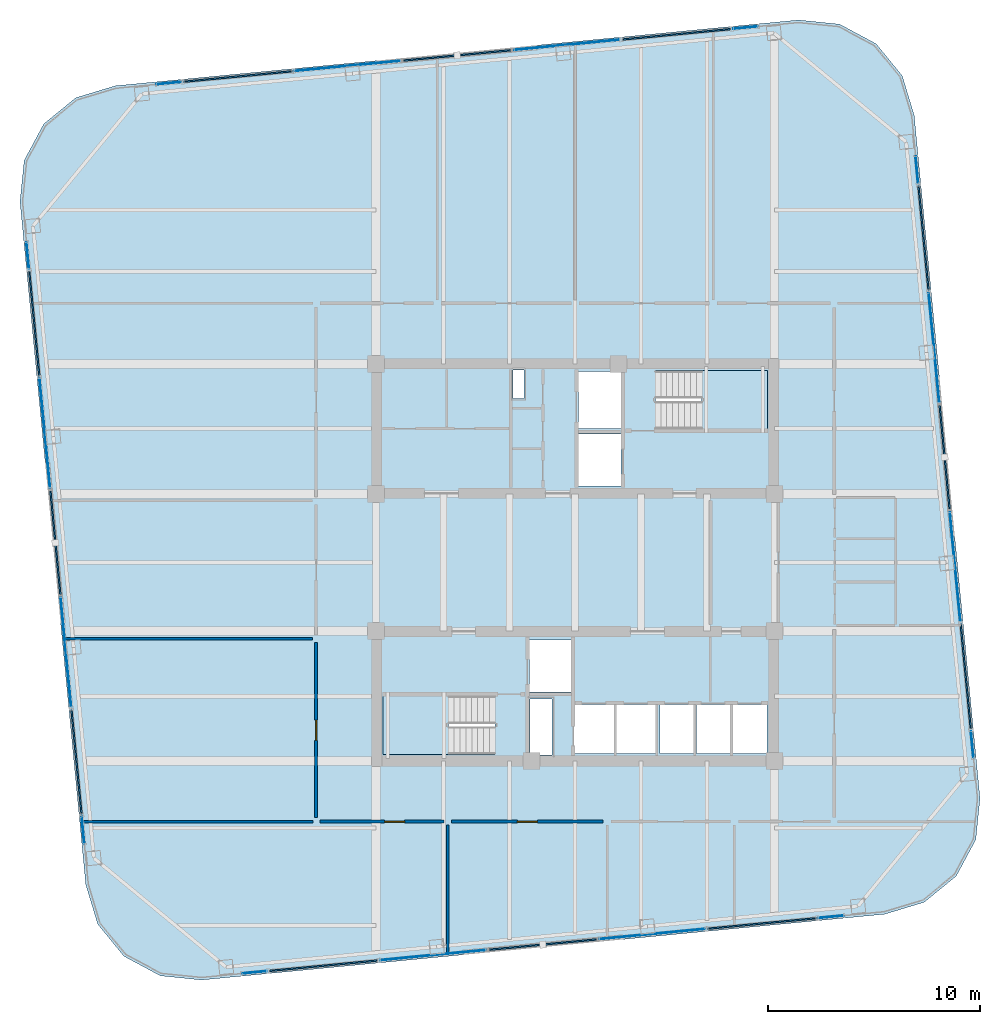
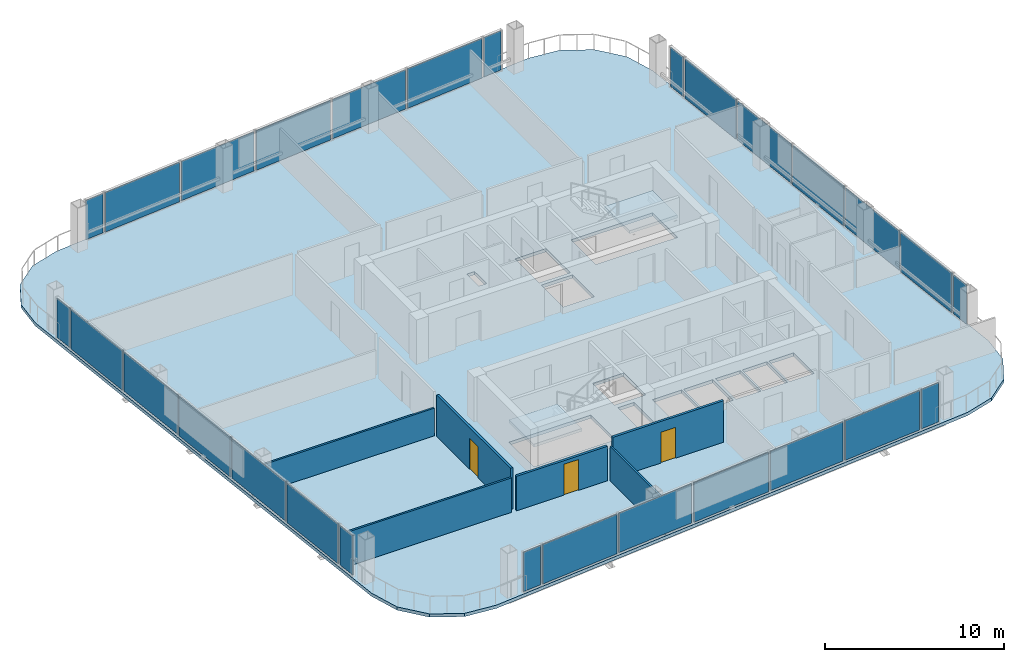
# One storey, part 23 of 29: 28 plates, 6 walls, 3 doors, 3 slabs, 3 openings, 30 elements without a shape of their own.
"""IFC4 building model written with IfcOpenShell, lengths in metres."""

from ifc_helpers import new_model, si_unit, direction, frame, frame_2d, origin, origin_2d, place, context, subcontext, project, spatial, polyline, rectangle, outline, extrude, material, layer, layer_set, type_object, element, fill, aggregate, save


model = new_model("IFC4")

# Units and contexts
model_context = context("Model", 3, precision=1e-05, world=origin(), true_north=direction((0.0, 1.0)))
body_context = subcontext(model_context, "Body", "Model", "MODEL_VIEW")
ifc_project = project(units=[si_unit("LENGTHUNIT", "METRE"), si_unit("AREAUNIT", "SQUARE_METRE"), si_unit("VOLUMEUNIT", "CUBIC_METRE"), si_unit("PLANEANGLEUNIT", "RADIAN"), si_unit("MASSUNIT", "GRAM", prefix="KILO")], contexts=[model_context])

# Site, building, storey
site_placement = place(None, origin())
site = spatial("IfcSite", under=ifc_project, at=site_placement, CompositionType="ELEMENT")
building_placement = place(site_placement, origin())
building = spatial("IfcBuilding", under=site, at=building_placement, Name="Qhalaya Broadcast Tower", CompositionType="ELEMENT")
storey_placement = place(building_placement, frame((0.0, 0.0, 177.5)))
storey = spatial("IfcBuildingStorey", under=building, at=storey_placement, Name="L52", CompositionType="ELEMENT", Elevation=177.5)

# Curtain wall, plate
ifc_material_1 = material(Name="Fired Architectural Terracotta", Category="masonry")
ifc_layer_1 = layer(ifc_material_1, 0.219970703125, Name="Fired Architectural Terracotta")
ifc_layer_set_1 = layer_set([ifc_layer_1], Name="Fired Architectural Terracotta")
curtain_wall_type_1 = type_object("IfcCurtainWallType", Name="Block-Cap Unitised Terracotta Spandrel Wall CW-07", PredefinedType="NOTDEFINED", material=ifc_layer_set_1)
curtain_wall_1_placement = place(storey_placement, origin())
curtain_wall_1 = element("IfcCurtainWall", 1, at=curtain_wall_1_placement, inside=storey, type_object=curtain_wall_type_1, Name="L52 Unitised Curtain Wall L52-CW-S2", PredefinedType="NOTDEFINED")
ifc_layer_2 = layer(ifc_material_1, 0.080078125, Name="Fired Architectural Terracotta")
ifc_layer_set_2 = layer_set([ifc_layer_2], Name="Fired Architectural Terracotta")
plate_type_1 = type_object("IfcPlateType", Name="Insulated Terracotta Spandrel Panel TSP-07", PredefinedType="CURTAIN_PANEL", material=ifc_layer_set_2)
plate_1_placement = place(storey_placement, frame((-11.84375, -18.386962890625, 0.0751953125), z_axis=(0.0, 0.0, 1.0), x_axis=(0.995395267059, 0.095855424032, 0.0)))
plate_1 = element("IfcPlate", 2, at=plate_1_placement, type_object=plate_type_1, Name="CW-07 panel 1.1", PredefinedType="CURTAIN_PANEL", context=body_context, shape_type="SweptSolid", body=[
    extrude(rectangle(XDim=5.0859375, YDim=0.080078125, at=origin_2d()), origin(), (0.0, 0.0, 1.0), 2.679931640625),
])
aggregate(curtain_wall_1, [plate_1])

curtain_wall_2_placement = place(storey_placement, origin())
curtain_wall_2 = element("IfcCurtainWall", 3, at=curtain_wall_2_placement, inside=storey, type_object=curtain_wall_type_1, Name="L52 Unitised Curtain Wall L52-CW-S4", PredefinedType="NOTDEFINED")
plate_2_placement = place(storey_placement, frame((-1.5244140625, -17.393310546875, 0.0751953125), z_axis=(0.0, 0.0, 1.0), x_axis=(0.995397089148, 0.095836500956, 0.0)))
plate_2 = element("IfcPlate", 4, at=plate_2_placement, type_object=plate_type_1, Name="CW-07 panel 1.1", PredefinedType="CURTAIN_PANEL", context=body_context, shape_type="SweptSolid", body=[
    extrude(rectangle(XDim=5.0859375, YDim=0.080078125, at=origin_2d()), origin(), (0.0, 0.0, 1.0), 2.679931640625),
])
aggregate(curtain_wall_2, [plate_2])

curtain_wall_3_placement = place(storey_placement, origin())
curtain_wall_3 = element("IfcCurtainWall", 5, at=curtain_wall_3_placement, inside=storey, type_object=curtain_wall_type_1, Name="L52 Unitised Curtain Wall L52-CW-S6", PredefinedType="NOTDEFINED")
plate_3_placement = place(storey_placement, frame((8.794921875, -16.399658203125, 0.0751953125), z_axis=(0.0, 0.0, 1.0), x_axis=(0.995395267059, 0.095855424032, 0.0)))
plate_3 = element("IfcPlate", 6, at=plate_3_placement, type_object=plate_type_1, Name="CW-07 panel 1.1", PredefinedType="CURTAIN_PANEL", context=body_context, shape_type="SweptSolid", body=[
    extrude(rectangle(XDim=5.0859375, YDim=0.080078125, at=origin_2d()), origin(), (0.0, 0.0, 1.0), 2.679931640625),
])
aggregate(curtain_wall_3, [plate_3])

curtain_wall_4_placement = place(storey_placement, origin())
curtain_wall_4 = element("IfcCurtainWall", 7, at=curtain_wall_4_placement, inside=storey, type_object=curtain_wall_type_1, Name="L52 Unitised Curtain Wall L52-CW-E2", PredefinedType="NOTDEFINED")
plate_4_placement = place(storey_placement, frame((18.38671875, -4.763671875, 0.0751953125), z_axis=(0.0, 0.0, 1.0), x_axis=(-0.09584506238, 0.99539626482, 0.0)))
plate_4 = element("IfcPlate", 8, at=plate_4_placement, type_object=plate_type_1, Name="CW-07 panel 1.1", PredefinedType="CURTAIN_PANEL", context=body_context, shape_type="SweptSolid", body=[
    extrude(rectangle(XDim=4.906005859375, YDim=0.080078125, at=origin_2d()), origin(), (0.0, 0.0, 1.0), 2.679931640625),
])
aggregate(curtain_wall_4, [plate_4])

curtain_wall_5_placement = place(storey_placement, origin())
curtain_wall_5 = element("IfcCurtainWall", 9, at=curtain_wall_5_placement, inside=storey, type_object=curtain_wall_type_1, Name="L52 Unitised Curtain Wall L52-CW-E4", PredefinedType="NOTDEFINED")
plate_5_placement = place(storey_placement, frame((17.393310546875, 5.5556640625, 0.0751953125), z_axis=(0.0, 0.0, 1.0), x_axis=(-0.095846949325, 0.995396083127, 0.0)))
plate_5 = element("IfcPlate", 10, at=plate_5_placement, type_object=plate_type_1, Name="CW-07 panel 1.1", PredefinedType="CURTAIN_PANEL", context=body_context, shape_type="SweptSolid", body=[
    extrude(rectangle(XDim=4.906005859375, YDim=0.080078125, at=origin_2d()), origin(), (0.0, 0.0, 1.0), 2.679931640625),
])
aggregate(curtain_wall_5, [plate_5])

curtain_wall_6_placement = place(storey_placement, origin())
curtain_wall_6 = element("IfcCurtainWall", 11, at=curtain_wall_6_placement, inside=storey, type_object=curtain_wall_type_1, Name="L52 Unitised Curtain Wall L52-CW-E6", PredefinedType="NOTDEFINED")
plate_6_placement = place(storey_placement, frame((16.399658203125, 15.875, 0.0751953125), z_axis=(0.0, 0.0, 1.0), x_axis=(-0.095846949325, 0.995396083127, 0.0)))
plate_6 = element("IfcPlate", 12, at=plate_6_placement, type_object=plate_type_1, Name="CW-07 panel 1.1", PredefinedType="CURTAIN_PANEL", context=body_context, shape_type="SweptSolid", body=[
    extrude(rectangle(XDim=4.906005859375, YDim=0.080078125, at=origin_2d()), origin(), (0.0, 0.0, 1.0), 2.679931640625),
])
aggregate(curtain_wall_6, [plate_6])

curtain_wall_7_placement = place(storey_placement, origin())
curtain_wall_7 = element("IfcCurtainWall", 13, at=curtain_wall_7_placement, inside=storey, type_object=curtain_wall_type_1, Name="L52 Unitised Curtain Wall L52-CW-N2", PredefinedType="NOTDEFINED")
plate_7_placement = place(storey_placement, frame((4.763671875, 25.466796875, 0.0751953125), z_axis=(0.0, 0.0, 1.0), x_axis=(-0.995395267059, -0.095855424032, 0.0)))
plate_7 = element("IfcPlate", 14, at=plate_7_placement, type_object=plate_type_1, Name="CW-07 panel 1.1", PredefinedType="CURTAIN_PANEL", context=body_context, shape_type="SweptSolid", body=[
    extrude(rectangle(XDim=5.0859375, YDim=0.080078125, at=origin_2d()), origin(), (0.0, 0.0, 1.0), 2.679931640625),
])
aggregate(curtain_wall_7, [plate_7])

curtain_wall_8_placement = place(storey_placement, origin())
curtain_wall_8 = element("IfcCurtainWall", 15, at=curtain_wall_8_placement, inside=storey, type_object=curtain_wall_type_1, Name="L52 Unitised Curtain Wall L52-CW-N4", PredefinedType="NOTDEFINED")
plate_8_placement = place(storey_placement, frame((-5.5556640625, 24.47314453125, 0.0751953125), z_axis=(0.0, 0.0, 1.0), x_axis=(-0.995397089148, -0.095836500956, 0.0)))
plate_8 = element("IfcPlate", 16, at=plate_8_placement, type_object=plate_type_1, Name="CW-07 panel 1.1", PredefinedType="CURTAIN_PANEL", context=body_context, shape_type="SweptSolid", body=[
    extrude(rectangle(XDim=5.0859375, YDim=0.080078125, at=origin_2d()), origin(), (0.0, 0.0, 1.0), 2.679931640625),
])
aggregate(curtain_wall_8, [plate_8])

curtain_wall_9_placement = place(storey_placement, origin())
curtain_wall_9 = element("IfcCurtainWall", 17, at=curtain_wall_9_placement, inside=storey, type_object=curtain_wall_type_1, Name="L52 Unitised Curtain Wall L52-CW-N6", PredefinedType="NOTDEFINED")
plate_9_placement = place(storey_placement, frame((-15.875, 23.4794921875, 0.0751953125), z_axis=(0.0, 0.0, 1.0), x_axis=(-0.995395267059, -0.095855424032, 0.0)))
plate_9 = element("IfcPlate", 18, at=plate_9_placement, type_object=plate_type_1, Name="CW-07 panel 1.1", PredefinedType="CURTAIN_PANEL", context=body_context, shape_type="SweptSolid", body=[
    extrude(rectangle(XDim=5.0859375, YDim=0.080078125, at=origin_2d()), origin(), (0.0, 0.0, 1.0), 2.679931640625),
])
aggregate(curtain_wall_9, [plate_9])

curtain_wall_10_placement = place(storey_placement, origin())
curtain_wall_10 = element("IfcCurtainWall", 19, at=curtain_wall_10_placement, inside=storey, type_object=curtain_wall_type_1, Name="L52 Unitised Curtain Wall L52-CW-W2", PredefinedType="NOTDEFINED")
plate_10_placement = place(storey_placement, frame((-25.466796875, 11.843505859375, 0.0751953125), z_axis=(0.0, 0.0, 1.0), x_axis=(0.09584506238, -0.99539626482, 0.0)))
plate_10 = element("IfcPlate", 20, at=plate_10_placement, type_object=plate_type_1, Name="CW-07 panel 1.1", PredefinedType="CURTAIN_PANEL", context=body_context, shape_type="SweptSolid", body=[
    extrude(rectangle(XDim=4.906005859375, YDim=0.080078125, at=origin_2d()), origin(), (0.0, 0.0, 1.0), 2.679931640625),
])
aggregate(curtain_wall_10, [plate_10])

curtain_wall_11_placement = place(storey_placement, origin())
curtain_wall_11 = element("IfcCurtainWall", 21, at=curtain_wall_11_placement, inside=storey, type_object=curtain_wall_type_1, Name="L52 Unitised Curtain Wall L52-CW-W4", PredefinedType="NOTDEFINED")
plate_11_placement = place(storey_placement, frame((-24.47314453125, 1.5244140625, 0.0751953125), z_axis=(0.0, 0.0, 1.0), x_axis=(0.095846949325, -0.995396083127, 0.0)))
plate_11 = element("IfcPlate", 22, at=plate_11_placement, type_object=plate_type_1, Name="CW-07 panel 1.1", PredefinedType="CURTAIN_PANEL", context=body_context, shape_type="SweptSolid", body=[
    extrude(rectangle(XDim=4.906005859375, YDim=0.080078125, at=origin_2d()), origin(), (0.0, 0.0, 1.0), 2.679931640625),
])
aggregate(curtain_wall_11, [plate_11])

curtain_wall_12_placement = place(storey_placement, origin())
curtain_wall_12 = element("IfcCurtainWall", 23, at=curtain_wall_12_placement, inside=storey, type_object=curtain_wall_type_1, Name="L52 Unitised Curtain Wall L52-CW-W6", PredefinedType="NOTDEFINED")
plate_12_placement = place(storey_placement, frame((-23.4794921875, -8.794921875, 0.0751953125), z_axis=(0.0, 0.0, 1.0), x_axis=(0.095846949325, -0.995396083127, 0.0)))
plate_12 = element("IfcPlate", 24, at=plate_12_placement, type_object=plate_type_1, Name="CW-07 panel 1.1", PredefinedType="CURTAIN_PANEL", context=body_context, shape_type="SweptSolid", body=[
    extrude(rectangle(XDim=4.906005859375, YDim=0.080078125, at=origin_2d()), origin(), (0.0, 0.0, 1.0), 2.679931640625),
])
aggregate(curtain_wall_12, [plate_12])

ifc_material_2 = material(Name="Solar-Control Low-E Triple Glazing", Category="glass")
ifc_layer_3 = layer(ifc_material_2, 0.219970703125, Name="Solar-Control Low-E Triple Glazing")
ifc_layer_set_3 = layer_set([ifc_layer_3], Name="Solar-Control Low-E Triple Glazing")
curtain_wall_type_2 = type_object("IfcCurtainWallType", Name="Even-Block 4-Storey Double-Module Curtain Wall CW-03", PredefinedType="NOTDEFINED", material=ifc_layer_set_3)
curtain_wall_13_placement = place(storey_placement, origin())
curtain_wall_13 = element("IfcCurtainWall", 25, at=curtain_wall_13_placement, inside=storey, type_object=curtain_wall_type_2, Name="L52 Unitised Curtain Wall L52-CW-S1", PredefinedType="NOTDEFINED")
ifc_layer_4 = layer(ifc_material_2, 0.035888671875, Name="Solar-Control Low-E Triple Glazing")
ifc_layer_set_4 = layer_set([ifc_layer_4], Name="Solar-Control Low-E Triple Glazing")
plate_type_2 = type_object("IfcPlateType", Name="Solar-Control Curtain Glazing Panel GLP-03", PredefinedType="CURTAIN_PANEL", material=ifc_layer_set_4)
plate_13_placement = place(storey_placement, frame((-15.10400390625, -18.70068359375, 0.0751953125), z_axis=(0.0, 0.0, 1.0), x_axis=(0.99539857312, 0.095821086563, 0.0)))
plate_13 = element("IfcPlate", 26, at=plate_13_placement, type_object=plate_type_2, Name="CW-03 panel 1.1", PredefinedType="CURTAIN_PANEL", context=body_context, shape_type="SweptSolid", body=[
    extrude(rectangle(XDim=1.1650390625, YDim=0.035888671875, at=origin_2d()), origin(), (0.0, 0.0, 1.0), 2.679931640625),
])
aggregate(curtain_wall_13, [plate_13])

curtain_wall_14_placement = place(storey_placement, origin())
curtain_wall_14 = element("IfcCurtainWall", 27, at=curtain_wall_14_placement, inside=storey, type_object=curtain_wall_type_2, Name="L52 Unitised Curtain Wall L52-CW-S3", PredefinedType="NOTDEFINED")
plate_14_placement = place(storey_placement, frame((-6.68408203125, -17.889892578125, 0.0751953125), z_axis=(0.0, 0.0, 1.0), x_axis=(0.995395950784, 0.095848323733, 0.0)))
plate_14 = element("IfcPlate", 28, at=plate_14_placement, type_object=plate_type_2, Name="CW-03 panel 1.1", PredefinedType="CURTAIN_PANEL", context=body_context, shape_type="SweptSolid", body=[
    extrude(rectangle(XDim=4.98095703125, YDim=0.035888671875, at=origin_2d()), origin(), (0.0, 0.0, 1.0), 2.679931640625),
])
aggregate(curtain_wall_14, [plate_14])

curtain_wall_15_placement = place(storey_placement, origin())
curtain_wall_15 = element("IfcCurtainWall", 29, at=curtain_wall_15_placement, inside=storey, type_object=curtain_wall_type_2, Name="L52 Unitised Curtain Wall L52-CW-S5", PredefinedType="NOTDEFINED")
plate_15_placement = place(storey_placement, frame((3.63525390625, -16.896484375, 0.0751953125), z_axis=(0.0, 0.0, 1.0), x_axis=(0.995395950784, 0.095848323733, 0.0)))
plate_15 = element("IfcPlate", 30, at=plate_15_placement, type_object=plate_type_2, Name="CW-03 panel 1.1", PredefinedType="CURTAIN_PANEL", context=body_context, shape_type="SweptSolid", body=[
    extrude(rectangle(XDim=4.98095703125, YDim=0.035888671875, at=origin_2d()), origin(), (0.0, 0.0, 1.0), 2.679931640625),
])
aggregate(curtain_wall_15, [plate_15])

curtain_wall_16_placement = place(storey_placement, origin())
curtain_wall_16 = element("IfcCurtainWall", 31, at=curtain_wall_16_placement, inside=storey, type_object=curtain_wall_type_2, Name="L52 Unitised Curtain Wall L52-CW-S7", PredefinedType="NOTDEFINED")
plate_16_placement = place(storey_placement, frame((12.055419921875, -16.085693359375, 0.0751953125), z_axis=(0.0, 0.0, 1.0), x_axis=(0.99539857312, 0.095821086563, 0.0)))
plate_16 = element("IfcPlate", 32, at=plate_16_placement, type_object=plate_type_2, Name="CW-03 panel 1.1", PredefinedType="CURTAIN_PANEL", context=body_context, shape_type="SweptSolid", body=[
    extrude(rectangle(XDim=1.1650390625, YDim=0.035888671875, at=origin_2d()), origin(), (0.0, 0.0, 1.0), 2.679931640625),
])
aggregate(curtain_wall_16, [plate_16])

curtain_wall_17_placement = place(storey_placement, origin())
curtain_wall_17 = element("IfcCurtainWall", 33, at=curtain_wall_17_placement, inside=storey, type_object=curtain_wall_type_2, Name="L52 Unitised Curtain Wall L52-CW-E1", PredefinedType="NOTDEFINED")
plate_17_placement = place(storey_placement, frame((18.696533203125, -7.979248046875, 0.0751953125), z_axis=(0.0, 0.0, 1.0), x_axis=(-0.095873796301, 0.99539349766, 0.0)))
plate_17 = element("IfcPlate", 34, at=plate_17_placement, type_object=plate_type_2, Name="CW-03 panel 1.1", PredefinedType="CURTAIN_PANEL", context=body_context, shape_type="SweptSolid", body=[
    extrude(rectangle(XDim=1.2548828125, YDim=0.035888671875, at=origin_2d()), origin(), (0.0, 0.0, 1.0), 2.679931640625),
])
aggregate(curtain_wall_17, [plate_17])

curtain_wall_18_placement = place(storey_placement, origin())
curtain_wall_18 = element("IfcCurtainWall", 35, at=curtain_wall_18_placement, inside=storey, type_object=curtain_wall_type_2, Name="L52 Unitised Curtain Wall L52-CW-E3", PredefinedType="NOTDEFINED")
plate_18_placement = place(storey_placement, frame((17.889892578125, 0.39599609375, 0.0751953125), z_axis=(0.0, 0.0, 1.0), x_axis=(-0.095839772631, 0.995396774147, 0.0)))
plate_18 = element("IfcPlate", 36, at=plate_18_placement, type_object=plate_type_2, Name="CW-03 panel 1.1", PredefinedType="CURTAIN_PANEL", context=body_context, shape_type="SweptSolid", body=[
    extrude(rectangle(XDim=5.160888671875, YDim=0.035888671875, at=origin_2d()), origin(), (0.0, 0.0, 1.0), 2.679931640625),
])
aggregate(curtain_wall_18, [plate_18])

curtain_wall_19_placement = place(storey_placement, origin())
curtain_wall_19 = element("IfcCurtainWall", 37, at=curtain_wall_19_placement, inside=storey, type_object=curtain_wall_type_2, Name="L52 Unitised Curtain Wall L52-CW-E5", PredefinedType="NOTDEFINED")
plate_19_placement = place(storey_placement, frame((16.896484375, 10.71533203125, 0.0751953125), z_axis=(0.0, 0.0, 1.0), x_axis=(-0.095837976406, 0.995396947091, 0.0)))
plate_19 = element("IfcPlate", 38, at=plate_19_placement, type_object=plate_type_2, Name="CW-03 panel 1.1", PredefinedType="CURTAIN_PANEL", context=body_context, shape_type="SweptSolid", body=[
    extrude(rectangle(XDim=5.1611328125, YDim=0.035888671875, at=origin_2d()), origin(), (0.0, 0.0, 1.0), 2.679931640625),
])
aggregate(curtain_wall_19, [plate_19])

curtain_wall_20_placement = place(storey_placement, origin())
curtain_wall_20 = element("IfcCurtainWall", 39, at=curtain_wall_20_placement, inside=storey, type_object=curtain_wall_type_2, Name="L52 Unitised Curtain Wall L52-CW-E7", PredefinedType="NOTDEFINED")
plate_20_placement = place(storey_placement, frame((16.08984375, 19.090576171875, 0.0751953125), z_axis=(0.0, 0.0, 1.0), x_axis=(-0.095873796301, 0.99539349766, 0.0)))
plate_20 = element("IfcPlate", 40, at=plate_20_placement, type_object=plate_type_2, Name="CW-03 panel 1.1", PredefinedType="CURTAIN_PANEL", context=body_context, shape_type="SweptSolid", body=[
    extrude(rectangle(XDim=1.2548828125, YDim=0.035888671875, at=origin_2d()), origin(), (0.0, 0.0, 1.0), 2.679931640625),
])
aggregate(curtain_wall_20, [plate_20])

curtain_wall_21_placement = place(storey_placement, origin())
curtain_wall_21 = element("IfcCurtainWall", 41, at=curtain_wall_21_placement, inside=storey, type_object=curtain_wall_type_2, Name="L52 Unitised Curtain Wall L52-CW-N1", PredefinedType="NOTDEFINED")
plate_21_placement = place(storey_placement, frame((8.024169921875, 25.78076171875, 0.0751953125), z_axis=(0.0, 0.0, 1.0), x_axis=(-0.99539857312, -0.095821086563, 0.0)))
plate_21 = element("IfcPlate", 42, at=plate_21_placement, type_object=plate_type_2, Name="CW-03 panel 1.1", PredefinedType="CURTAIN_PANEL", context=body_context, shape_type="SweptSolid", body=[
    extrude(rectangle(XDim=1.1650390625, YDim=0.035888671875, at=origin_2d()), origin(), (0.0, 0.0, 1.0), 2.679931640625),
])
aggregate(curtain_wall_21, [plate_21])

curtain_wall_22_placement = place(storey_placement, origin())
curtain_wall_22 = element("IfcCurtainWall", 43, at=curtain_wall_22_placement, inside=storey, type_object=curtain_wall_type_2, Name="L52 Unitised Curtain Wall L52-CW-N3", PredefinedType="NOTDEFINED")
plate_22_placement = place(storey_placement, frame((-0.39599609375, 24.969970703125, 0.0751953125), z_axis=(0.0, 0.0, 1.0), x_axis=(-0.995395950784, -0.095848323733, 0.0)))
plate_22 = element("IfcPlate", 44, at=plate_22_placement, type_object=plate_type_2, Name="CW-03 panel 1.1", PredefinedType="CURTAIN_PANEL", context=body_context, shape_type="SweptSolid", body=[
    extrude(rectangle(XDim=4.98095703125, YDim=0.035888671875, at=origin_2d()), origin(), (0.0, 0.0, 1.0), 2.679931640625),
])
aggregate(curtain_wall_22, [plate_22])

curtain_wall_23_placement = place(storey_placement, origin())
curtain_wall_23 = element("IfcCurtainWall", 45, at=curtain_wall_23_placement, inside=storey, type_object=curtain_wall_type_2, Name="L52 Unitised Curtain Wall L52-CW-N5", PredefinedType="NOTDEFINED")
plate_23_placement = place(storey_placement, frame((-10.71533203125, 23.976318359375, 0.0751953125), z_axis=(0.0, 0.0, 1.0), x_axis=(-0.995395950784, -0.095848323733, 0.0)))
plate_23 = element("IfcPlate", 46, at=plate_23_placement, type_object=plate_type_2, Name="CW-03 panel 1.1", PredefinedType="CURTAIN_PANEL", context=body_context, shape_type="SweptSolid", body=[
    extrude(rectangle(XDim=4.98095703125, YDim=0.035888671875, at=origin_2d()), origin(), (0.0, 0.0, 1.0), 2.679931640625),
])
aggregate(curtain_wall_23, [plate_23])

curtain_wall_24_placement = place(storey_placement, origin())
curtain_wall_24 = element("IfcCurtainWall", 47, at=curtain_wall_24_placement, inside=storey, type_object=curtain_wall_type_2, Name="L52 Unitised Curtain Wall L52-CW-N7", PredefinedType="NOTDEFINED")
plate_24_placement = place(storey_placement, frame((-19.13525390625, 23.16552734375, 0.0751953125), z_axis=(0.0, 0.0, 1.0), x_axis=(-0.99539857312, -0.095821086563, 0.0)))
plate_24 = element("IfcPlate", 48, at=plate_24_placement, type_object=plate_type_2, Name="CW-03 panel 1.1", PredefinedType="CURTAIN_PANEL", context=body_context, shape_type="SweptSolid", body=[
    extrude(rectangle(XDim=1.1650390625, YDim=0.035888671875, at=origin_2d()), origin(), (0.0, 0.0, 1.0), 2.679931640625),
])
aggregate(curtain_wall_24, [plate_24])

curtain_wall_25_placement = place(storey_placement, origin())
curtain_wall_25 = element("IfcCurtainWall", 49, at=curtain_wall_25_placement, inside=storey, type_object=curtain_wall_type_2, Name="L52 Unitised Curtain Wall L52-CW-W1", PredefinedType="NOTDEFINED")
plate_25_placement = place(storey_placement, frame((-25.7763671875, 15.059326171875, 0.0751953125), z_axis=(0.0, 0.0, 1.0), x_axis=(0.095873796301, -0.99539349766, 0.0)))
plate_25 = element("IfcPlate", 50, at=plate_25_placement, type_object=plate_type_2, Name="CW-03 panel 1.1", PredefinedType="CURTAIN_PANEL", context=body_context, shape_type="SweptSolid", body=[
    extrude(rectangle(XDim=1.2548828125, YDim=0.035888671875, at=origin_2d()), origin(), (0.0, 0.0, 1.0), 2.679931640625),
])
aggregate(curtain_wall_25, [plate_25])

curtain_wall_26_placement = place(storey_placement, origin())
curtain_wall_26 = element("IfcCurtainWall", 51, at=curtain_wall_26_placement, inside=storey, type_object=curtain_wall_type_2, Name="L52 Unitised Curtain Wall L52-CW-W3", PredefinedType="NOTDEFINED")
plate_26_placement = place(storey_placement, frame((-24.969970703125, 6.683837890625, 0.0751953125), z_axis=(0.0, 0.0, 1.0), x_axis=(0.095839772631, -0.995396774147, 0.0)))
plate_26 = element("IfcPlate", 52, at=plate_26_placement, type_object=plate_type_2, Name="CW-03 panel 1.1", PredefinedType="CURTAIN_PANEL", context=body_context, shape_type="SweptSolid", body=[
    extrude(rectangle(XDim=5.160888671875, YDim=0.035888671875, at=origin_2d()), origin(), (0.0, 0.0, 1.0), 2.679931640625),
])
aggregate(curtain_wall_26, [plate_26])

curtain_wall_27_placement = place(storey_placement, origin())
curtain_wall_27 = element("IfcCurtainWall", 53, at=curtain_wall_27_placement, inside=storey, type_object=curtain_wall_type_2, Name="L52 Unitised Curtain Wall L52-CW-W5", PredefinedType="NOTDEFINED")
plate_27_placement = place(storey_placement, frame((-23.976318359375, -3.63525390625, 0.0751953125), z_axis=(0.0, 0.0, 1.0), x_axis=(0.095837976406, -0.995396947091, 0.0)))
plate_27 = element("IfcPlate", 54, at=plate_27_placement, type_object=plate_type_2, Name="CW-03 panel 1.1", PredefinedType="CURTAIN_PANEL", context=body_context, shape_type="SweptSolid", body=[
    extrude(rectangle(XDim=5.1611328125, YDim=0.035888671875, at=origin_2d()), origin(), (0.0, 0.0, 1.0), 2.679931640625),
])
aggregate(curtain_wall_27, [plate_27])

curtain_wall_28_placement = place(storey_placement, origin())
curtain_wall_28 = element("IfcCurtainWall", 55, at=curtain_wall_28_placement, inside=storey, type_object=curtain_wall_type_2, Name="L52 Unitised Curtain Wall L52-CW-W7", PredefinedType="NOTDEFINED")
plate_28_placement = place(storey_placement, frame((-23.169921875, -12.010498046875, 0.0751953125), z_axis=(0.0, 0.0, 1.0), x_axis=(0.095873796301, -0.99539349766, 0.0)))
plate_28 = element("IfcPlate", 56, at=plate_28_placement, type_object=plate_type_2, Name="CW-03 panel 1.1", PredefinedType="CURTAIN_PANEL", context=body_context, shape_type="SweptSolid", body=[
    extrude(rectangle(XDim=1.2548828125, YDim=0.035888671875, at=origin_2d()), origin(), (0.0, 0.0, 1.0), 2.679931640625),
])
aggregate(curtain_wall_28, [plate_28])

# Stair, slab
ifc_material_3 = material(Name="Concrete C40/50", Category="concrete")
stair_type = type_object("IfcStairType", Name="Protected Dogleg Core Stair 3150", PredefinedType="TWO_STRAIGHT_RUN_STAIR", material=ifc_material_3)
stair_1_placement = place(storey_placement, origin())
stair_1 = element("IfcStair", 57, at=stair_1_placement, inside=storey, type_object=stair_type, Name="L52 North Core Exit Stair ST-1", PredefinedType="TWO_STRAIGHT_RUN_STAIR")
ifc_layer_5 = layer(ifc_material_3, 0.199951171875, Name="Concrete C40/50")
ifc_layer_set_5 = layer_set([ifc_layer_5], Name="Concrete C40/50")
slab_type_1 = type_object("IfcSlabType", Name="Stair & Ramp Half-Landing Slab 200", PredefinedType="LANDING", material=ifc_layer_set_5)
slab_1_placement = place(storey_placement, frame((0.0, 0.0, 1.324951171875)))
slab_1 = element("IfcSlab", 58, at=slab_1_placement, type_object=slab_type_1, Name="ST-1 landing 1", PredefinedType="LANDING", context=body_context, shape_type="SweptSolid", body=[
    extrude(outline(polyline([(5.955078125, 6.8798828125), (9.050048828125, 6.8798828125), (9.050048828125, 9.639892578125), (5.955078125, 9.639892578125), (5.955078125, 6.8798828125)])), origin(), (0.0, 0.0, 1.0), 0.199951171875),
])
aggregate(stair_1, [slab_1])

stair_2_placement = place(storey_placement, origin())
stair_2 = element("IfcStair", 59, at=stair_2_placement, inside=storey, type_object=stair_type, Name="L52 South Core Exit Stair ST-2", PredefinedType="TWO_STRAIGHT_RUN_STAIR")
slab_2_placement = place(storey_placement, frame((0.0, 0.0, 1.324951171875)))
slab_2 = element("IfcSlab", 60, at=slab_2_placement, type_object=slab_type_1, Name="ST-2 landing 1", PredefinedType="LANDING", context=body_context, shape_type="SweptSolid", body=[
    extrude(outline(polyline([(-5.955078125, -5.679931640625), (-9.050048828125, -5.679931640625), (-9.050048828125, -8.43994140625), (-5.955078125, -8.43994140625), (-5.955078125, -5.679931640625)])), origin(), (0.0, 0.0, 1.0), 0.199951171875),
])
aggregate(stair_2, [slab_2])

# Slab
ifc_layer_6 = layer(ifc_material_3, 0.219970703125, Name="Concrete C40/50")
ifc_layer_set_6 = layer_set([ifc_layer_6], Name="Concrete C40/50")
slab_type_2 = type_object("IfcSlabType", Name="Tower Composite Floor Slab 220", PredefinedType="FLOOR", material=ifc_layer_set_6)
slab_3_placement = place(storey_placement, frame((0.0, 0.0, -0.219970703125)))
element("IfcSlab", 61, at=slab_3_placement, inside=storey, type_object=slab_type_2, Name="L52 Main Structural Floor Slab", PredefinedType="FLOOR", context=body_context, shape_type="SweptSolid", body=[
    extrude(outline(polyline([(14.562744140625, -15.964599609375), (16.430908203125, -15.402587890625), (17.941650390625, -14.168212890625), (18.864990234375, -12.44970703125), (19.060546875, -10.508544921875), (15.964599609375, 21.642822265625), (15.402587890625, 23.510986328125), (14.168212890625, 25.021728515625), (12.44970703125, 25.945068359375), (10.508544921875, 26.140380859375), (-21.642822265625, 23.044677734375), (-23.510986328125, 22.482421875), (-25.021728515625, 21.248046875), (-25.945068359375, 19.529541015625), (-26.140380859375, 17.58837890625), (-23.044677734375, -14.562744140625), (-22.482421875, -16.430908203125), (-21.248046875, -17.941650390625), (-19.529541015625, -18.864990234375), (-17.58837890625, -19.060546875), (14.562744140625, -15.964599609375)]), holes=[polyline([(3.784912109375, 9.639892578125), (9.050048828125, 9.639892578125), (9.050048828125, 6.8798828125), (3.784912109375, 6.8798828125), (3.784912109375, 9.639892578125)]), polyline([(-3.784912109375, -8.43994140625), (-9.050048828125, -8.43994140625), (-9.050048828125, -5.679931640625), (-3.784912109375, -5.679931640625), (-3.784912109375, -8.43994140625)]), polyline([(0.14990234375, 6.64990234375), (2.14990234375, 6.64990234375), (2.14990234375, 4.199951171875), (0.14990234375, 4.199951171875), (0.14990234375, 6.64990234375)]), polyline([(0.14990234375, 9.60009765625), (2.14990234375, 9.60009765625), (2.14990234375, 6.89990234375), (0.14990234375, 6.89990234375), (0.14990234375, 9.60009765625)]), polyline([(-2.14990234375, -3.050048828125), (-0.14990234375, -3.050048828125), (-0.14990234375, -5.5), (-2.14990234375, -5.5), (-2.14990234375, -3.050048828125)]), polyline([(-0.050048828125, -6.10009765625), (1.830078125, -6.10009765625), (1.830078125, -8.39990234375), (-0.050048828125, -8.39990234375), (-0.050048828125, -6.10009765625)]), polyline([(1.949951171875, -6.10009765625), (3.830078125, -6.10009765625), (3.830078125, -8.39990234375), (1.949951171875, -8.39990234375), (1.949951171875, -6.10009765625)]), polyline([(4.0, -6.10009765625), (5.60009765625, -6.10009765625), (5.60009765625, -8.39990234375), (4.0, -8.39990234375), (4.0, -6.10009765625)]), polyline([(5.719970703125, -6.10009765625), (7.320068359375, -6.10009765625), (7.320068359375, -8.39990234375), (5.719970703125, -8.39990234375), (5.719970703125, -6.10009765625)]), polyline([(7.43994140625, -6.10009765625), (9.0400390625, -6.10009765625), (9.0400390625, -8.39990234375), (7.43994140625, -8.39990234375), (7.43994140625, -6.10009765625)]), polyline([(-2.919921875, 9.659912109375), (-2.419921875, 9.659912109375), (-2.419921875, 8.320068359375), (-2.919921875, 8.320068359375), (-2.919921875, 9.659912109375)]), polyline([(-2.1201171875, -5.820068359375), (-1.080078125, -5.820068359375), (-1.080078125, -8.4599609375), (-2.1201171875, -8.4599609375), (-2.1201171875, -5.820068359375)])]), origin(), (0.0, 0.0, 1.0), 0.219970703125),
])

# Wall, opening, door
ifc_material_4 = material(Name="Gypsum Acoustic Partition")
ifc_layer_7 = layer(ifc_material_4, 0.14990234375, Name="Gypsum Acoustic Partition")
ifc_layer_set_7 = layer_set([ifc_layer_7], Name="Gypsum Acoustic Partition")
wall_type_1 = type_object("IfcWallType", Name="Corridor & Tenancy Acoustic Partition 150", PredefinedType="PARTITIONING", material=ifc_layer_set_7)
wall_1_placement = place(storey_placement, frame((-12.02001953125, -11.60009765625, 0.0), z_axis=(0.0, 0.0, 1.0), x_axis=(1.0, 0.0, 0.0)))
wall_1 = element("IfcWall", 62, at=wall_1_placement, inside=storey, type_object=wall_type_1, Name="L52 Partition Wall W-COR-05", PredefinedType="PARTITIONING", context=body_context, shape_type="SweptSolid", body=[
    extrude(rectangle(XDim=5.840087890625, YDim=0.14990234375, at=frame_2d((2.919921875, 0.0))), origin(), (0.0, 0.0, 1.0), 2.346923828125),
])
opening_1_placement = place(wall_1_placement, frame((3.044921875, 0.0, 0.0)))
opening_1 = element("IfcOpeningElement", 63, at=opening_1_placement, cuts=wall_1, Name="Opening D10", PredefinedType="OPENING", context=body_context, shape_type="SweptSolid", body=[
    extrude(rectangle(XDim=0.949951171875, YDim=2.10009765625, at=frame_2d((0.47509765625, 1.050048828125))), frame((0.0, 0.0869140625, 0.0), z_axis=(0.0, -1.0, 0.0), x_axis=(1.0, 0.0, 0.0)), (0.0, 0.0, 1.0), 0.173828125),
])
ifc_material_5 = material(Name="Timber Veneer Acoustic Door", Category="wood")
door_type = type_object("IfcDoorType", Name="Cellular Office & Edit Booth Door D10", OperationType="NOTDEFINED", PredefinedType="DOOR", material=ifc_material_5)
door_1_placement = place(opening_1_placement, origin())
door_1 = element("IfcDoor", 64, at=door_1_placement, inside=storey, type_object=door_type, Name="L52 Door D-RM05", OperationType="SINGLE_SWING_RIGHT", OverallHeight=2.10009765625, OverallWidth=0.949951171875, PredefinedType="DOOR", context=body_context, shape_type="SweptSolid", body=[
    extrude(rectangle(XDim=0.949951171875, YDim=2.10009765625, at=frame_2d((0.47509765625, 1.050048828125))), frame((0.0, 0.02490234375, 0.0), z_axis=(0.0, -1.0, 0.0), x_axis=(1.0, 0.0, 0.0)), (0.0, 0.0, 1.0), 0.050048828125),
])
fill(opening_1, door_1)

wall_2_placement = place(storey_placement, frame((-5.820068359375, -11.60009765625, 0.0), z_axis=(0.0, 0.0, 1.0), x_axis=(1.0, 0.0, 0.0)))
wall_2 = element("IfcWall", 65, at=wall_2_placement, inside=storey, type_object=wall_type_1, Name="L52 Partition Wall W-COR-06", PredefinedType="PARTITIONING", context=body_context, shape_type="SweptSolid", body=[
    extrude(rectangle(XDim=7.14013671875, YDim=0.14990234375, at=frame_2d((3.570068359375, 0.0))), origin(), (0.0, 0.0, 1.0), 2.830078125),
])
opening_2_placement = place(wall_2_placement, frame((3.094970703125, 0.0, 0.0)))
opening_2 = element("IfcOpeningElement", 66, at=opening_2_placement, cuts=wall_2, Name="Opening D10", PredefinedType="OPENING", context=body_context, shape_type="SweptSolid", body=[
    extrude(rectangle(XDim=0.949951171875, YDim=2.10009765625, at=frame_2d((0.47509765625, 1.050048828125))), frame((0.0, 0.0869140625, 0.0), z_axis=(0.0, -1.0, 0.0), x_axis=(1.0, 0.0, 0.0)), (0.0, 0.0, 1.0), 0.173828125),
])
door_2_placement = place(opening_2_placement, origin())
door_2 = element("IfcDoor", 67, at=door_2_placement, inside=storey, type_object=door_type, Name="L52 Door D-RM06", OperationType="SINGLE_SWING_LEFT", OverallHeight=2.10009765625, OverallWidth=0.949951171875, PredefinedType="DOOR", context=body_context, shape_type="SweptSolid", body=[
    extrude(rectangle(XDim=0.949951171875, YDim=2.10009765625, at=frame_2d((0.47509765625, 1.050048828125))), frame((0.0, 0.02490234375, 0.0), z_axis=(0.0, -1.0, 0.0), x_axis=(1.0, 0.0, 0.0)), (0.0, 0.0, 1.0), 0.050048828125),
])
fill(opening_2, door_2)

wall_3_placement = place(storey_placement, frame((-12.199951171875, -11.419921875, 0.0), z_axis=(0.0, 0.0, 1.0), x_axis=(0.0, 1.0, 0.0)))
wall_3 = element("IfcWall", 68, at=wall_3_placement, inside=storey, type_object=wall_type_1, Name="L52 Partition Wall W-COR-09", PredefinedType="PARTITIONING", context=body_context, shape_type="SweptSolid", body=[
    extrude(rectangle(XDim=8.239990234375, YDim=0.14990234375, at=frame_2d((4.1201171875, 0.0))), origin(), (0.0, 0.0, 1.0), 2.830078125),
])
opening_3_placement = place(wall_3_placement, frame((3.64501953125, 0.0, 0.0)))
opening_3 = element("IfcOpeningElement", 69, at=opening_3_placement, cuts=wall_3, Name="Opening D10", PredefinedType="OPENING", context=body_context, shape_type="SweptSolid", body=[
    extrude(rectangle(XDim=0.949951171875, YDim=2.10009765625, at=frame_2d((0.47509765625, 1.050048828125))), frame((0.0, 0.0869140625, 0.0), z_axis=(0.0, -1.0, 0.0), x_axis=(1.0, 0.0, 0.0)), (0.0, 0.0, 1.0), 0.173828125),
])
door_3_placement = place(opening_3_placement, origin())
door_3 = element("IfcDoor", 70, at=door_3_placement, inside=storey, type_object=door_type, Name="L52 Door D-RM09", OperationType="SINGLE_SWING_RIGHT", OverallHeight=2.10009765625, OverallWidth=0.949951171875, PredefinedType="DOOR", context=body_context, shape_type="SweptSolid", body=[
    extrude(rectangle(XDim=0.949951171875, YDim=2.10009765625, at=frame_2d((0.47509765625, 1.050048828125))), frame((0.0, 0.02490234375, 0.0), z_axis=(0.0, -1.0, 0.0), x_axis=(1.0, 0.0, 0.0)), (0.0, 0.0, 1.0), 0.050048828125),
])
fill(opening_3, door_3)

# Walls
ifc_layer_8 = layer(ifc_material_4, 0.1201171875, Name="Gypsum Acoustic Partition")
ifc_layer_set_8 = layer_set([ifc_layer_8], Name="Gypsum Acoustic Partition")
wall_type_2 = type_object("IfcWallType", Name="Office, Booth & Sanitary Partition 120", PredefinedType="PARTITIONING", material=ifc_layer_set_8)
wall_4_placement = place(storey_placement, frame((-23.20947265625, -11.60009765625, 0.0), z_axis=(0.0, 0.0, 1.0), x_axis=(1.0, 0.0, 0.0)))
element("IfcWall", 71, at=wall_4_placement, inside=storey, type_object=wall_type_2, Name="L52 Partition Wall W-BNDW2", PredefinedType="PARTITIONING", context=body_context, shape_type="SweptSolid", body=[
    extrude(rectangle(XDim=10.869384765625, YDim=0.1201171875, at=frame_2d((5.4345703125, 0.0))), origin(), (0.0, 0.0, 1.0), 2.346923828125),
])
wall_5_placement = place(storey_placement, frame((-6.0, -17.82421875, 0.0), z_axis=(0.0, 0.0, 1.0), x_axis=(0.0, 1.0, 0.0)))
element("IfcWall", 72, at=wall_5_placement, inside=storey, type_object=wall_type_2, Name="L52 Partition Wall W-DIVS1", PredefinedType="PARTITIONING", context=body_context, shape_type="SweptSolid", body=[
    extrude(rectangle(XDim=6.064208984375, YDim=0.1201171875, at=frame_2d((3.0322265625, 0.0))), origin(), (0.0, 0.0, 1.0), 2.346923828125),
])
wall_6_placement = place(storey_placement, frame((-24.03759765625, -3.0, 0.0), z_axis=(0.0, 0.0, 1.0), x_axis=(1.0, 0.0, 0.0)))
element("IfcWall", 73, at=wall_6_placement, inside=storey, type_object=wall_type_2, Name="L52 Partition Wall W-DIVW1", PredefinedType="PARTITIONING", context=body_context, shape_type="SweptSolid", body=[
    extrude(rectangle(XDim=11.677490234375, YDim=0.1201171875, at=frame_2d((5.8388671875, 0.0))), origin(), (0.0, 0.0, 1.0), 1.883056640625),
])

save(model, "model.ifc")
